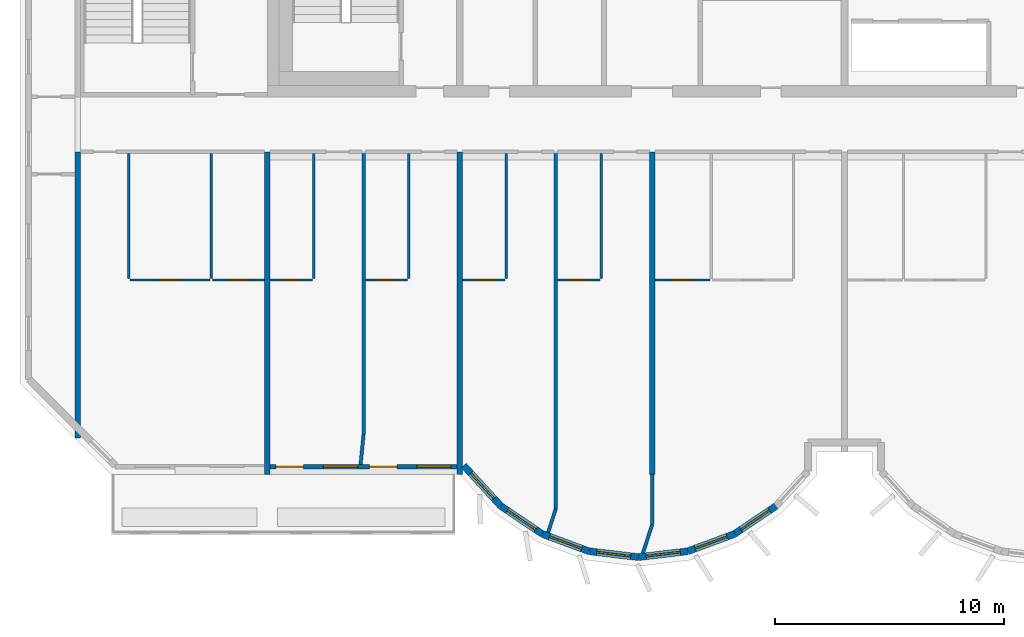
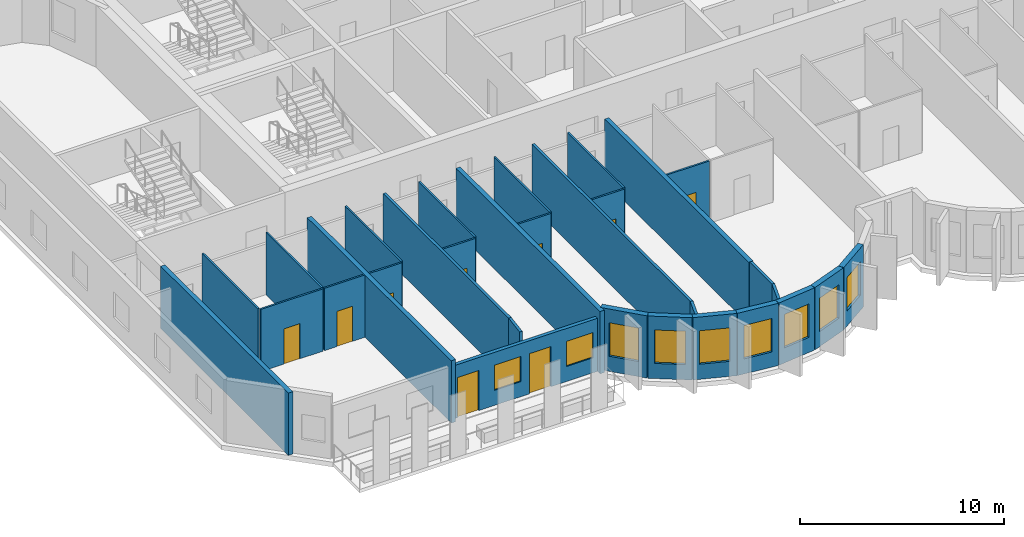
# One storey, part 2 of 12: 31 walls, 9 doors, 9 windows, 18 openings.
"""IFC4 building model written with IfcOpenShell, lengths in metres."""

from ifc_helpers import new_model, si_unit, direction, frame, frame_2d, origin, place, context, subcontext, project, spatial, rectangle, extrude, source, transform, mapped, material, layer, layer_set, type_object, element, fill, save


model = new_model("IFC4")

# Units and contexts
model_context = context("Model", 3, precision=1e-05, world=origin(), true_north=direction((0.0, 1.0)))
body_context = subcontext(model_context, "Body", "Model", "MODEL_VIEW")
ifc_project = project(units=[si_unit("LENGTHUNIT", "METRE"), si_unit("AREAUNIT", "SQUARE_METRE"), si_unit("VOLUMEUNIT", "CUBIC_METRE"), si_unit("PLANEANGLEUNIT", "RADIAN"), si_unit("MASSUNIT", "GRAM", prefix="KILO")], contexts=[model_context])

# Site, building, storey
site_placement = place(None, origin())
site = spatial("IfcSite", under=ifc_project, at=site_placement, CompositionType="ELEMENT")
building_placement = place(site_placement, origin())
building = spatial("IfcBuilding", under=site, at=building_placement, Name="Vanashikhar Sky Hotel", CompositionType="ELEMENT")
storey_placement = place(building_placement, frame((0.0, 0.0, 289.699951171875)))
storey = spatial("IfcBuildingStorey", under=building, at=storey_placement, Name="L69", CompositionType="ELEMENT", Elevation=289.699951171875)

# Walls
ifc_material_1 = material(Name="Concrete M50", Category="concrete")
ifc_layer_1 = layer(ifc_material_1, 0.25)
ifc_layer_set_1 = layer_set([ifc_layer_1], Name="RC shear wall 250 Concrete M50")
wall_type_1 = type_object("IfcWallType", Name="RC shear wall 250 Concrete M50", PredefinedType="SHEAR", material=ifc_layer_set_1)
shared_shape_1 = source(origin(), body_context, "Body", "SweptSolid", [
    extrude(rectangle(XDim=12.5, YDim=0.25, at=frame_2d((6.25, 0.0))), origin(), (0.0, 0.0, 1.0), 3.719970703125),
])
wall_1_placement = place(storey_placement, frame((16.925048828125, 7.10009765625, 0.0), z_axis=(0.0, 0.0, 1.0), x_axis=(0.0, 1.0, 0.0)))
element("IfcWall", 1, at=wall_1_placement, inside=storey, type_object=wall_type_1, Name="CW-L69-XW03-1", PredefinedType="SHEAR", context=body_context, shape_type="MappedRepresentation", body=[
    mapped(shared_shape_1, transform((0.0, 0.0, 0.0), scale=1.0)),
])
shared_shape_2 = source(origin(), body_context, "Body", "SweptSolid", [
    extrude(rectangle(XDim=14.10009765625, YDim=0.25, at=frame_2d((7.050048828125, 0.0))), origin(), (0.0, 0.0, 1.0), 3.719970703125),
])
for number, where, z_axis, x_axis, name in (
    (2, (25.199951171875, 5.5, 0.0), (0.0, 0.0, 1.0), (0.0, 1.0, 0.0), "CW-L69-XW04-1"),
    (3, (33.60009765625, 5.5, 0.0), (0.0, 0.0, 1.0), (0.0, 1.0, 0.0), "CW-L69-XW05-1"),
    (4, (42.0, 5.5, 0.0), (0.0, 0.0, 1.0), (0.0, 1.0, 0.0), "CW-L69-XW06-1"),
):
    element("IfcWall", number, at=place(storey_placement, frame(where, z_axis=z_axis, x_axis=x_axis)), inside=storey, type_object=wall_type_1, Name=name, PredefinedType="SHEAR", context=body_context, shape_type="MappedRepresentation", body=[
        mapped(shared_shape_2, transform((0.0, 0.0, 0.0), scale=1.0)),
    ])

# Wall, openings, windows, doors
ifc_layer_2 = layer(ifc_material_1, 0.199951171875)
ifc_layer_set_2 = layer_set([ifc_layer_2], Name="Front window wall 200")
wall_type_2 = type_object("IfcWallType", Name="Front window wall 200", PredefinedType="SOLIDWALL", material=ifc_layer_set_2)
shared_shape_3 = source(origin(), body_context, "Body", "SweptSolid", [
    extrude(rectangle(XDim=8.150146484375, YDim=0.199951171875, at=frame_2d((4.0751953125, 0.0))), origin(), (0.0, 0.0, 1.0), 3.170166015625),
])
wall_2_placement = place(storey_placement, frame((25.324951171875, 5.85009765625, 0.0), z_axis=(0.0, 0.0, 1.0), x_axis=(1.0, 0.0, 0.0)))
wall_2 = element("IfcWall", 5, at=wall_2_placement, inside=storey, type_object=wall_type_2, Name="Front window wall", PredefinedType="SOLIDWALL", context=body_context, shape_type="MappedRepresentation", body=[
    mapped(shared_shape_3, transform((0.0, 0.0, 0.0), scale=1.0)),
])
shared_shape_4 = source(origin(), body_context, "Body", "SweptSolid", [
    extrude(rectangle(XDim=1.199951171875, YDim=2.39990234375, at=frame_2d((0.60009765625, 1.199951171875))), frame((0.0, 0.10986328125, 0.0), z_axis=(0.0, -1.0, 0.0), x_axis=(1.0, 0.0, 0.0)), (0.0, 0.0, 1.0), 0.219970703125),
])
opening_1_placement = place(wall_2_placement, frame((0.25, 0.0, 0.0)))
opening_1 = element("IfcOpeningElement", 6, at=opening_1_placement, cuts=wall_2, Name="Opening BD-01", PredefinedType="OPENING", context=body_context, shape_type="MappedRepresentation", body=[
    mapped(shared_shape_4, transform((0.0, 0.0, 0.0), scale=1.0)),
])
shared_shape_5 = source(origin(), body_context, "Body", "SweptSolid", [
    extrude(rectangle(XDim=1.5, YDim=1.5, at=frame_2d((0.75, 0.75))), frame((0.0, 0.10986328125, 0.0), z_axis=(0.0, -1.0, 0.0), x_axis=(1.0, 0.0, 0.0)), (0.0, 0.0, 1.0), 0.219970703125),
])
opening_2_placement = place(wall_2_placement, frame((2.324951171875, 0.0, 0.89990234375)))
opening_2 = element("IfcOpeningElement", 7, at=opening_2_placement, cuts=wall_2, Name="Opening WN-1", PredefinedType="OPENING", context=body_context, shape_type="MappedRepresentation", body=[
    mapped(shared_shape_5, transform((0.0, 0.0, 0.0), scale=1.0)),
])
opening_3_placement = place(wall_2_placement, frame((4.324951171875, 0.0, 0.0)))
opening_3 = element("IfcOpeningElement", 8, at=opening_3_placement, cuts=wall_2, Name="Opening BD-02", PredefinedType="OPENING", context=body_context, shape_type="MappedRepresentation", body=[
    mapped(shared_shape_4, transform((0.0, 0.0, 0.0), scale=1.0)),
])
opening_4_placement = place(wall_2_placement, frame((6.39990234375, 0.0, 0.89990234375)))
opening_4 = element("IfcOpeningElement", 9, at=opening_4_placement, cuts=wall_2, Name="Opening WN-1", PredefinedType="OPENING", context=body_context, shape_type="MappedRepresentation", body=[
    mapped(shared_shape_5, transform((0.0, 0.0, 0.0), scale=1.0)),
])
ifc_material_2 = material(Name="Glass", Category="glass")
window_type_1 = type_object("IfcWindowType", Name="Window 1500 x 1500", PartitioningType="SINGLE_PANEL", PredefinedType="WINDOW", material=ifc_material_2)
shared_shape_6 = source(origin(), body_context, "Body", "SweptSolid", [
    extrude(rectangle(XDim=1.5, YDim=1.5, at=frame_2d((0.75, 0.75))), frame((0.0, 0.030029296875, 0.0), z_axis=(0.0, -1.0, 0.0), x_axis=(1.0, 0.0, 0.0)), (0.0, 0.0, 1.0), 0.06005859375),
])
window_1_placement = place(opening_2_placement, origin())
window_1 = element("IfcWindow", 10, at=window_1_placement, inside=storey, type_object=window_type_1, Name="Window WN-1", OverallHeight=1.5, OverallWidth=1.5, PartitioningType="SINGLE_PANEL", PredefinedType="WINDOW", context=body_context, shape_type="MappedRepresentation", body=[
    mapped(shared_shape_6, transform((0.0, 0.0, 0.0), scale=1.0)),
])
fill(opening_2, window_1)
window_2_placement = place(opening_4_placement, origin())
window_2 = element("IfcWindow", 11, at=window_2_placement, inside=storey, type_object=window_type_1, Name="Window WN-1", OverallHeight=1.5, OverallWidth=1.5, PartitioningType="SINGLE_PANEL", PredefinedType="WINDOW", context=body_context, shape_type="MappedRepresentation", body=[
    mapped(shared_shape_6, transform((0.0, 0.0, 0.0), scale=1.0)),
])
fill(opening_4, window_2)
ifc_material_3 = material(Name="Aluminium", Category="aluminium")
door_type_1 = type_object("IfcDoorType", Name="Balcony sliding door 1200 x 2400", OperationType="NOTDEFINED", PredefinedType="DOOR", material=ifc_material_3)
shared_shape_7 = source(origin(), body_context, "Body", "SweptSolid", [
    extrude(rectangle(XDim=1.199951171875, YDim=2.39990234375, at=frame_2d((0.60009765625, 1.199951171875))), frame((0.0, 0.02490234375, 0.0), z_axis=(0.0, -1.0, 0.0), x_axis=(1.0, 0.0, 0.0)), (0.0, 0.0, 1.0), 0.050048828125),
])
door_1_placement = place(opening_1_placement, origin())
door_1 = element("IfcDoor", 12, at=door_1_placement, inside=storey, type_object=door_type_1, Name="Balcony sliding door", OperationType="SLIDING_TO_LEFT", OverallHeight=2.39990234375, OverallWidth=1.199951171875, PredefinedType="DOOR", context=body_context, shape_type="MappedRepresentation", body=[
    mapped(shared_shape_7, transform((0.0, 0.0, 0.0), scale=1.0)),
])
fill(opening_1, door_1)
door_2_placement = place(opening_3_placement, origin())
door_2 = element("IfcDoor", 13, at=door_2_placement, inside=storey, type_object=door_type_1, Name="Balcony sliding door", OperationType="SLIDING_TO_RIGHT", OverallHeight=2.39990234375, OverallWidth=1.199951171875, PredefinedType="DOOR", context=body_context, shape_type="MappedRepresentation", body=[
    mapped(shared_shape_7, transform((0.0, 0.0, 0.0), scale=1.0)),
])
fill(opening_3, door_2)

# Wall, opening, window
ifc_layer_3 = layer(ifc_material_1, 0.300048828125)
ifc_layer_set_3 = layer_set([ifc_layer_3], Name="Lobe wall 300")
wall_type_3 = type_object("IfcWallType", Name="Lobe wall 300", PredefinedType="SOLIDWALL", material=ifc_layer_set_3)
shared_shape_8 = source(origin(), body_context, "Body", "SweptSolid", [
    extrude(rectangle(XDim=2.398193359375, YDim=0.300048828125, at=frame_2d((1.19921875, 0.0))), origin(), (0.0, 0.0, 1.0), 3.719970703125),
])
wall_3_placement = place(storey_placement, frame((33.776123046875, 5.89990234375, 0.0), z_axis=(0.0, 0.0, 1.0), x_axis=(0.675374189419, -0.737475222815, 0.0)))
wall_3 = element("IfcWall", 14, at=wall_3_placement, inside=storey, type_object=wall_type_3, Name="Lobe wall", PredefinedType="SOLIDWALL", context=body_context, shape_type="MappedRepresentation", body=[
    mapped(shared_shape_8, transform((0.0, 0.0, 0.0), scale=1.0)),
])
shared_shape_9 = source(origin(), body_context, "Body", "SweptSolid", [
    extrude(rectangle(XDim=1.5, YDim=2.0, at=frame_2d((0.75, 1.0))), frame((0.0, 0.16015625, 0.0), z_axis=(0.0, -1.0, 0.0), x_axis=(1.0, 0.0, 0.0)), (0.0, 0.0, 1.0), 0.320068359375),
])
opening_5_placement = place(wall_3_placement, frame((0.44921875, 0.0, 0.89990234375)))
opening_5 = element("IfcOpeningElement", 15, at=opening_5_placement, cuts=wall_3, Name="Opening WN-2", PredefinedType="OPENING", context=body_context, shape_type="MappedRepresentation", body=[
    mapped(shared_shape_9, transform((0.0, 0.0, 0.0), scale=1.0)),
])
window_type_2 = type_object("IfcWindowType", Name="Lobe window 1500 x 2000", PartitioningType="SINGLE_PANEL", PredefinedType="WINDOW", material=ifc_material_2)
shared_shape_10 = source(origin(), body_context, "Body", "SweptSolid", [
    extrude(rectangle(XDim=1.5, YDim=2.0, at=frame_2d((0.75, 1.0))), frame((0.0, 0.030029296875, 0.0), z_axis=(0.0, -1.0, 0.0), x_axis=(1.0, 0.0, 0.0)), (0.0, 0.0, 1.0), 0.06005859375),
])
window_3_placement = place(opening_5_placement, origin())
window_3 = element("IfcWindow", 16, at=window_3_placement, inside=storey, type_object=window_type_2, Name="Window WN-2", OverallHeight=2.0, OverallWidth=1.5, PartitioningType="SINGLE_PANEL", PredefinedType="WINDOW", context=body_context, shape_type="MappedRepresentation", body=[
    mapped(shared_shape_10, transform((0.0, 0.0, 0.0), scale=1.0)),
])
fill(opening_5, window_3)

shared_shape_11 = source(origin(), body_context, "Body", "SweptSolid", [
    extrude(rectangle(XDim=2.17578125, YDim=0.300048828125, at=frame_2d((1.087890625, 0.0))), origin(), (0.0, 0.0, 1.0), 3.719970703125),
])
wall_4_placement = place(storey_placement, frame((35.395751953125, 4.13134765625, 0.0), z_axis=(0.0, 0.0, 1.0), x_axis=(0.829590746428, -0.558371913192, 0.0)))
wall_4 = element("IfcWall", 17, at=wall_4_placement, inside=storey, type_object=wall_type_3, Name="Lobe wall", PredefinedType="SOLIDWALL", context=body_context, shape_type="MappedRepresentation", body=[
    mapped(shared_shape_11, transform((0.0, 0.0, 0.0), scale=1.0)),
])
opening_6_placement = place(wall_4_placement, frame((0.337890625, 0.0, 0.89990234375)))
opening_6 = element("IfcOpeningElement", 18, at=opening_6_placement, cuts=wall_4, Name="Opening WN-2", PredefinedType="OPENING", context=body_context, shape_type="MappedRepresentation", body=[
    mapped(shared_shape_9, transform((0.0, 0.0, 0.0), scale=1.0)),
])
window_4_placement = place(opening_6_placement, origin())
window_4 = element("IfcWindow", 19, at=window_4_placement, inside=storey, type_object=window_type_2, Name="Window WN-2", OverallHeight=2.0, OverallWidth=1.5, PartitioningType="SINGLE_PANEL", PredefinedType="WINDOW", context=body_context, shape_type="MappedRepresentation", body=[
    mapped(shared_shape_10, transform((0.0, 0.0, 0.0), scale=1.0)),
])
fill(opening_6, window_4)

wall_5_placement = place(storey_placement, frame((37.20068359375, 2.91650390625, 0.0), z_axis=(0.0, 0.0, 1.0), x_axis=(0.93754555999, -0.347862505801, 0.0)))
wall_5 = element("IfcWall", 20, at=wall_5_placement, inside=storey, type_object=wall_type_3, Name="Lobe wall", PredefinedType="SOLIDWALL", context=body_context, shape_type="MappedRepresentation", body=[
    mapped(shared_shape_11, transform((0.0, 0.0, 0.0), scale=1.0)),
])
opening_7_placement = place(wall_5_placement, frame((0.337890625, 0.0, 0.89990234375)))
opening_7 = element("IfcOpeningElement", 21, at=opening_7_placement, cuts=wall_5, Name="Opening WN-2", PredefinedType="OPENING", context=body_context, shape_type="MappedRepresentation", body=[
    mapped(shared_shape_9, transform((0.0, 0.0, 0.0), scale=1.0)),
])
window_5_placement = place(opening_7_placement, origin())
window_5 = element("IfcWindow", 22, at=window_5_placement, inside=storey, type_object=window_type_2, Name="Window WN-2", OverallHeight=2.0, OverallWidth=1.5, PartitioningType="SINGLE_PANEL", PredefinedType="WINDOW", context=body_context, shape_type="MappedRepresentation", body=[
    mapped(shared_shape_10, transform((0.0, 0.0, 0.0), scale=1.0)),
])
fill(opening_7, window_5)

wall_6_placement = place(storey_placement, frame((45.59912109375, 2.91650390625, 0.0), z_axis=(0.0, 0.0, 1.0), x_axis=(0.829625727223, 0.558319937607, 0.0)))
wall_6 = element("IfcWall", 23, at=wall_6_placement, inside=storey, type_object=wall_type_3, Name="Lobe wall", PredefinedType="SOLIDWALL", context=body_context, shape_type="MappedRepresentation", body=[
    mapped(shared_shape_11, transform((0.0, 0.0, 0.0), scale=1.0)),
])
opening_8_placement = place(wall_6_placement, frame((0.337890625, 0.0, 0.89990234375)))
opening_8 = element("IfcOpeningElement", 24, at=opening_8_placement, cuts=wall_6, Name="Opening WN-2", PredefinedType="OPENING", context=body_context, shape_type="MappedRepresentation", body=[
    mapped(shared_shape_9, transform((0.0, 0.0, 0.0), scale=1.0)),
])
window_6_placement = place(opening_8_placement, origin())
window_6 = element("IfcWindow", 25, at=window_6_placement, inside=storey, type_object=window_type_2, Name="Window WN-2", OverallHeight=2.0, OverallWidth=1.5, PartitioningType="SINGLE_PANEL", PredefinedType="WINDOW", context=body_context, shape_type="MappedRepresentation", body=[
    mapped(shared_shape_10, transform((0.0, 0.0, 0.0), scale=1.0)),
])
fill(opening_8, window_6)

shared_shape_12 = source(origin(), body_context, "Body", "SweptSolid", [
    extrude(rectangle(XDim=2.174560546875, YDim=0.300048828125, at=frame_2d((1.08740234375, 0.0))), origin(), (0.0, 0.0, 1.0), 3.719970703125),
])
wall_7_placement = place(storey_placement, frame((39.240478515625, 2.15966796875, 0.0), z_axis=(0.0, 0.0, 1.0), x_axis=(0.993001132889, -0.118104826659, 0.0)))
wall_7 = element("IfcWall", 26, at=wall_7_placement, inside=storey, type_object=wall_type_3, Name="Lobe wall", PredefinedType="SOLIDWALL", context=body_context, shape_type="MappedRepresentation", body=[
    mapped(shared_shape_12, transform((0.0, 0.0, 0.0), scale=1.0)),
])
opening_9_placement = place(wall_7_placement, frame((0.33740234375, 0.0, 0.89990234375)))
opening_9 = element("IfcOpeningElement", 27, at=opening_9_placement, cuts=wall_7, Name="Opening WN-2", PredefinedType="OPENING", context=body_context, shape_type="MappedRepresentation", body=[
    mapped(shared_shape_9, transform((0.0, 0.0, 0.0), scale=1.0)),
])
window_7_placement = place(opening_9_placement, origin())
window_7 = element("IfcWindow", 28, at=window_7_placement, inside=storey, type_object=window_type_2, Name="Window WN-2", OverallHeight=2.0, OverallWidth=1.5, PartitioningType="SINGLE_PANEL", PredefinedType="WINDOW", context=body_context, shape_type="MappedRepresentation", body=[
    mapped(shared_shape_10, transform((0.0, 0.0, 0.0), scale=1.0)),
])
fill(opening_9, window_7)

shared_shape_13 = source(origin(), body_context, "Body", "SweptSolid", [
    extrude(rectangle(XDim=2.1748046875, YDim=0.300048828125, at=frame_2d((1.08740234375, 0.0))), origin(), (0.0, 0.0, 1.0), 3.719970703125),
])
wall_8_placement = place(storey_placement, frame((41.39990234375, 1.90283203125, 0.0), z_axis=(0.0, 0.0, 1.0), x_axis=(0.993002698611, 0.118091661648, 0.0)))
wall_8 = element("IfcWall", 29, at=wall_8_placement, inside=storey, type_object=wall_type_3, Name="Lobe wall", PredefinedType="SOLIDWALL", context=body_context, shape_type="MappedRepresentation", body=[
    mapped(shared_shape_13, transform((0.0, 0.0, 0.0), scale=1.0)),
])
opening_10_placement = place(wall_8_placement, frame((0.33740234375, 0.0, 0.89990234375)))
opening_10 = element("IfcOpeningElement", 30, at=opening_10_placement, cuts=wall_8, Name="Opening WN-2", PredefinedType="OPENING", context=body_context, shape_type="MappedRepresentation", body=[
    mapped(shared_shape_9, transform((0.0, 0.0, 0.0), scale=1.0)),
])
window_8_placement = place(opening_10_placement, origin())
window_8 = element("IfcWindow", 31, at=window_8_placement, inside=storey, type_object=window_type_2, Name="Window WN-2", OverallHeight=2.0, OverallWidth=1.5, PartitioningType="SINGLE_PANEL", PredefinedType="WINDOW", context=body_context, shape_type="MappedRepresentation", body=[
    mapped(shared_shape_10, transform((0.0, 0.0, 0.0), scale=1.0)),
])
fill(opening_10, window_8)

shared_shape_14 = source(origin(), body_context, "Body", "SweptSolid", [
    extrude(rectangle(XDim=2.175537109375, YDim=0.300048828125, at=frame_2d((1.087890625, 0.0))), origin(), (0.0, 0.0, 1.0), 3.719970703125),
])
wall_9_placement = place(storey_placement, frame((43.5595703125, 2.15966796875, 0.0), z_axis=(0.0, 0.0, 1.0), x_axis=(0.937531979054, 0.347899106424, 0.0)))
wall_9 = element("IfcWall", 32, at=wall_9_placement, inside=storey, type_object=wall_type_3, Name="Lobe wall", PredefinedType="SOLIDWALL", context=body_context, shape_type="MappedRepresentation", body=[
    mapped(shared_shape_14, transform((0.0, 0.0, 0.0), scale=1.0)),
])
opening_11_placement = place(wall_9_placement, frame((0.337890625, 0.0, 0.89990234375)))
opening_11 = element("IfcOpeningElement", 33, at=opening_11_placement, cuts=wall_9, Name="Opening WN-2", PredefinedType="OPENING", context=body_context, shape_type="MappedRepresentation", body=[
    mapped(shared_shape_9, transform((0.0, 0.0, 0.0), scale=1.0)),
])
window_9_placement = place(opening_11_placement, origin())
window_9 = element("IfcWindow", 34, at=window_9_placement, inside=storey, type_object=window_type_2, Name="Window WN-2", OverallHeight=2.0, OverallWidth=1.5, PartitioningType="SINGLE_PANEL", PredefinedType="WINDOW", context=body_context, shape_type="MappedRepresentation", body=[
    mapped(shared_shape_10, transform((0.0, 0.0, 0.0), scale=1.0)),
])
fill(opening_11, window_9)

# Wall, opening, door
ifc_material_4 = material(Name="Gypsum plasterboard partition")
ifc_layer_4 = layer(ifc_material_4, 0.10009765625)
ifc_layer_set_4 = layer_set([ifc_layer_4], Name="Wet room partition 100")
wall_type_4 = type_object("IfcWallType", Name="Wet room partition 100", PredefinedType="PARTITIONING", material=ifc_layer_set_4)
shared_shape_15 = source(origin(), body_context, "Body", "SweptSolid", [
    extrude(rectangle(XDim=3.5, YDim=0.10009765625, at=frame_2d((1.75, 0.0))), origin(), (0.0, 0.0, 1.0), 3.719970703125),
])
wall_10_placement = place(storey_placement, frame((19.199951171875, 14.0, 0.0), z_axis=(0.0, 0.0, 1.0), x_axis=(1.0, 0.0, 0.0)))
wall_10 = element("IfcWall", 35, at=wall_10_placement, inside=storey, type_object=wall_type_4, Name="W-L69-PW003", PredefinedType="PARTITIONING", context=body_context, shape_type="MappedRepresentation", body=[
    mapped(shared_shape_15, transform((0.0, 0.0, 0.0), scale=1.0)),
])
shared_shape_16 = source(origin(), body_context, "Body", "SweptSolid", [
    extrude(rectangle(XDim=0.89990234375, YDim=2.10009765625, at=frame_2d((0.449951171875, 1.050048828125))), frame((0.0, 0.06005859375, 0.0), z_axis=(0.0, -1.0, 0.0), x_axis=(1.0, 0.0, 0.0)), (0.0, 0.0, 1.0), 0.1201171875),
])
opening_12_placement = place(wall_10_placement, frame((1.300048828125, 0.0, 0.0)))
opening_12 = element("IfcOpeningElement", 36, at=opening_12_placement, cuts=wall_10, Name="Opening D-02", PredefinedType="OPENING", context=body_context, shape_type="MappedRepresentation", body=[
    mapped(shared_shape_16, transform((0.0, 0.0, 0.0), scale=1.0)),
])
ifc_material_5 = material(Name="Timber door", Category="wood")
door_type_2 = type_object("IfcDoorType", Name="Internal door 900", OperationType="NOTDEFINED", PredefinedType="DOOR", material=ifc_material_5)
shared_shape_17 = source(origin(), body_context, "Body", "SweptSolid", [
    extrude(rectangle(XDim=0.89990234375, YDim=2.10009765625, at=frame_2d((0.449951171875, 1.050048828125))), frame((0.0, 0.02490234375, 0.0), z_axis=(0.0, -1.0, 0.0), x_axis=(1.0, 0.0, 0.0)), (0.0, 0.0, 1.0), 0.050048828125),
])
door_3_placement = place(opening_12_placement, origin())
door_3 = element("IfcDoor", 37, at=door_3_placement, inside=storey, type_object=door_type_2, Name="D-L69-001", OperationType="SINGLE_SWING_LEFT", OverallHeight=2.10009765625, OverallWidth=0.89990234375, PredefinedType="DOOR", context=body_context, shape_type="MappedRepresentation", body=[
    mapped(shared_shape_17, transform((0.0, 0.0, 0.0), scale=1.0)),
])
fill(opening_12, door_3)

# Walls
ifc_layer_5 = layer(ifc_material_4, 0.14990234375)
ifc_layer_set_5 = layer_set([ifc_layer_5], Name="Corridor and demising partition 150")
wall_type_5 = type_object("IfcWallType", Name="Corridor and demising partition 150", PredefinedType="PARTITIONING", material=ifc_layer_set_5)
shared_shape_18 = source(origin(), body_context, "Body", "SweptSolid", [
    extrude(rectangle(XDim=2.177978515625, YDim=0.14990234375, at=frame_2d((1.0888671875, 0.0))), origin(), (0.0, 0.0, 1.0), 3.719970703125),
])
wall_11_placement = place(storey_placement, frame((42.0, 3.322021484375, 0.0), z_axis=(0.0, 0.0, 1.0), x_axis=(0.0, 1.0, 0.0)))
element("IfcWall", 38, at=wall_11_placement, inside=storey, type_object=wall_type_5, Name="W-L69-PW047", PredefinedType="PARTITIONING", context=body_context, shape_type="MappedRepresentation", body=[
    mapped(shared_shape_18, transform((0.0, 0.0, 0.0), scale=1.0)),
])
shared_shape_19 = source(origin(), body_context, "Body", "SweptSolid", [
    extrude(rectangle(XDim=1.308349609375, YDim=0.14990234375, at=frame_2d((0.654296875, 0.0))), origin(), (0.0, 0.0, 1.0), 3.719970703125),
])
wall_12_placement = place(storey_placement, frame((41.597900390625, 2.076904296875, 0.0), z_axis=(0.0, 0.0, 1.0), x_axis=(0.307313512187, 0.951608325535, 0.0)))
element("IfcWall", 39, at=wall_12_placement, inside=storey, type_object=wall_type_5, Name="W-L69-PW047B0", PredefinedType="PARTITIONING", context=body_context, shape_type="MappedRepresentation", body=[
    mapped(shared_shape_19, transform((0.0, 0.0, 0.0), scale=1.0)),
])
shared_shape_20 = source(origin(), body_context, "Body", "SweptSolid", [
    extrude(rectangle(XDim=5.449951171875, YDim=0.10009765625, at=frame_2d((2.72509765625, 0.0))), origin(), (0.0, 0.0, 1.0), 3.719970703125),
])
for number, where, z_axis, x_axis, name in (
    (40, (19.14990234375, 14.074951171875, 0.0), (0.0, 0.0, 1.0), (0.0, 1.0, 0.0), "W-L69-PW001"),
    (41, (22.75, 14.074951171875, 0.0), (0.0, 0.0, 1.0), (0.0, 1.0, 0.0), "W-L69-PW002"),
    (42, (27.22509765625, 14.074951171875, 0.0), (0.0, 0.0, 1.0), (0.0, 1.0, 0.0), "W-L69-PW006"),
    (43, (31.375, 14.074951171875, 0.0), (0.0, 0.0, 1.0), (0.0, 1.0, 0.0), "W-L69-PW009"),
    (44, (35.625, 14.074951171875, 0.0), (0.0, 0.0, 1.0), (0.0, 1.0, 0.0), "W-L69-PW013"),
    (45, (39.77490234375, 14.074951171875, 0.0), (0.0, 0.0, 1.0), (0.0, 1.0, 0.0), "W-L69-PW016"),
):
    element("IfcWall", number, at=place(storey_placement, frame(where, z_axis=z_axis, x_axis=x_axis)), inside=storey, type_object=wall_type_4, Name=name, PredefinedType="PARTITIONING", context=body_context, shape_type="MappedRepresentation", body=[
        mapped(shared_shape_20, transform((0.0, 0.0, 0.0), scale=1.0)),
    ])

# Wall, opening, door
shared_shape_21 = source(origin(), body_context, "Body", "SweptSolid", [
    extrude(rectangle(XDim=2.27490234375, YDim=0.10009765625, at=frame_2d((1.137451171875, 0.0))), origin(), (0.0, 0.0, 1.0), 3.719970703125),
])
wall_13_placement = place(storey_placement, frame((22.800048828125, 14.0, 0.0), z_axis=(0.0, 0.0, 1.0), x_axis=(1.0, 0.0, 0.0)))
wall_13 = element("IfcWall", 46, at=wall_13_placement, inside=storey, type_object=wall_type_4, Name="W-L69-PW004", PredefinedType="PARTITIONING", context=body_context, shape_type="MappedRepresentation", body=[
    mapped(shared_shape_21, transform((0.0, 0.0, 0.0), scale=1.0)),
])
opening_13_placement = place(wall_13_placement, frame((0.68798828125, 0.0, 0.0)))
opening_13 = element("IfcOpeningElement", 47, at=opening_13_placement, cuts=wall_13, Name="Opening D-02", PredefinedType="OPENING", context=body_context, shape_type="MappedRepresentation", body=[
    mapped(shared_shape_16, transform((0.0, 0.0, 0.0), scale=1.0)),
])
door_4_placement = place(opening_13_placement, origin())
door_4 = element("IfcDoor", 48, at=door_4_placement, inside=storey, type_object=door_type_2, Name="D-L69-002", OperationType="SINGLE_SWING_LEFT", OverallHeight=2.10009765625, OverallWidth=0.89990234375, PredefinedType="DOOR", context=body_context, shape_type="MappedRepresentation", body=[
    mapped(shared_shape_17, transform((0.0, 0.0, 0.0), scale=1.0)),
])
fill(opening_13, door_4)

shared_shape_22 = source(origin(), body_context, "Body", "SweptSolid", [
    extrude(rectangle(XDim=1.85009765625, YDim=0.10009765625, at=frame_2d((0.925048828125, 0.0))), origin(), (0.0, 0.0, 1.0), 3.719970703125),
])
wall_14_placement = place(storey_placement, frame((25.324951171875, 14.0, 0.0), z_axis=(0.0, 0.0, 1.0), x_axis=(1.0, 0.0, 0.0)))
wall_14 = element("IfcWall", 49, at=wall_14_placement, inside=storey, type_object=wall_type_4, Name="W-L69-PW007", PredefinedType="PARTITIONING", context=body_context, shape_type="MappedRepresentation", body=[
    mapped(shared_shape_22, transform((0.0, 0.0, 0.0), scale=1.0)),
])
opening_14_placement = place(wall_14_placement, frame((0.47509765625, 0.0, 0.0)))
opening_14 = element("IfcOpeningElement", 50, at=opening_14_placement, cuts=wall_14, Name="Opening D-02", PredefinedType="OPENING", context=body_context, shape_type="MappedRepresentation", body=[
    mapped(shared_shape_16, transform((0.0, 0.0, 0.0), scale=1.0)),
])
door_5_placement = place(opening_14_placement, origin())
door_5 = element("IfcDoor", 51, at=door_5_placement, inside=storey, type_object=door_type_2, Name="D-L69-004", OperationType="SINGLE_SWING_RIGHT", OverallHeight=2.10009765625, OverallWidth=0.89990234375, PredefinedType="DOOR", context=body_context, shape_type="MappedRepresentation", body=[
    mapped(shared_shape_17, transform((0.0, 0.0, 0.0), scale=1.0)),
])
fill(opening_14, door_5)

wall_15_placement = place(storey_placement, frame((37.875, 14.0, 0.0), z_axis=(0.0, 0.0, 1.0), x_axis=(1.0, 0.0, 0.0)))
wall_15 = element("IfcWall", 52, at=wall_15_placement, inside=storey, type_object=wall_type_4, Name="W-L69-PW017", PredefinedType="PARTITIONING", context=body_context, shape_type="MappedRepresentation", body=[
    mapped(shared_shape_22, transform((0.0, 0.0, 0.0), scale=1.0)),
])
opening_15_placement = place(wall_15_placement, frame((0.47509765625, 0.0, 0.0)))
opening_15 = element("IfcOpeningElement", 53, at=opening_15_placement, cuts=wall_15, Name="Opening D-02", PredefinedType="OPENING", context=body_context, shape_type="MappedRepresentation", body=[
    mapped(shared_shape_16, transform((0.0, 0.0, 0.0), scale=1.0)),
])
door_6_placement = place(opening_15_placement, origin())
door_6 = element("IfcDoor", 54, at=door_6_placement, inside=storey, type_object=door_type_2, Name="D-L69-010", OperationType="SINGLE_SWING_RIGHT", OverallHeight=2.10009765625, OverallWidth=0.89990234375, PredefinedType="DOOR", context=body_context, shape_type="MappedRepresentation", body=[
    mapped(shared_shape_17, transform((0.0, 0.0, 0.0), scale=1.0)),
])
fill(opening_15, door_6)

shared_shape_23 = source(origin(), body_context, "Body", "SweptSolid", [
    extrude(rectangle(XDim=1.849853515625, YDim=0.10009765625, at=frame_2d((0.9248046875, 0.0))), origin(), (0.0, 0.0, 1.0), 3.719970703125),
])
wall_16_placement = place(storey_placement, frame((29.47509765625, 14.0, 0.0), z_axis=(0.0, 0.0, 1.0), x_axis=(1.0, 0.0, 0.0)))
wall_16 = element("IfcWall", 55, at=wall_16_placement, inside=storey, type_object=wall_type_4, Name="W-L69-PW010", PredefinedType="PARTITIONING", context=body_context, shape_type="MappedRepresentation", body=[
    mapped(shared_shape_23, transform((0.0, 0.0, 0.0), scale=1.0)),
])
opening_16_placement = place(wall_16_placement, frame((0.47509765625, 0.0, 0.0)))
opening_16 = element("IfcOpeningElement", 56, at=opening_16_placement, cuts=wall_16, Name="Opening D-02", PredefinedType="OPENING", context=body_context, shape_type="MappedRepresentation", body=[
    mapped(shared_shape_16, transform((0.0, 0.0, 0.0), scale=1.0)),
])
door_7_placement = place(opening_16_placement, origin())
door_7 = element("IfcDoor", 57, at=door_7_placement, inside=storey, type_object=door_type_2, Name="D-L69-006", OperationType="SINGLE_SWING_RIGHT", OverallHeight=2.10009765625, OverallWidth=0.89990234375, PredefinedType="DOOR", context=body_context, shape_type="MappedRepresentation", body=[
    mapped(shared_shape_17, transform((0.0, 0.0, 0.0), scale=1.0)),
])
fill(opening_16, door_7)

wall_17_placement = place(storey_placement, frame((33.72509765625, 14.0, 0.0), z_axis=(0.0, 0.0, 1.0), x_axis=(1.0, 0.0, 0.0)))
wall_17 = element("IfcWall", 58, at=wall_17_placement, inside=storey, type_object=wall_type_4, Name="W-L69-PW014", PredefinedType="PARTITIONING", context=body_context, shape_type="MappedRepresentation", body=[
    mapped(shared_shape_23, transform((0.0, 0.0, 0.0), scale=1.0)),
])
opening_17_placement = place(wall_17_placement, frame((0.47509765625, 0.0, 0.0)))
opening_17 = element("IfcOpeningElement", 59, at=opening_17_placement, cuts=wall_17, Name="Opening D-02", PredefinedType="OPENING", context=body_context, shape_type="MappedRepresentation", body=[
    mapped(shared_shape_16, transform((0.0, 0.0, 0.0), scale=1.0)),
])
door_8_placement = place(opening_17_placement, origin())
door_8 = element("IfcDoor", 60, at=door_8_placement, inside=storey, type_object=door_type_2, Name="D-L69-008", OperationType="SINGLE_SWING_RIGHT", OverallHeight=2.10009765625, OverallWidth=0.89990234375, PredefinedType="DOOR", context=body_context, shape_type="MappedRepresentation", body=[
    mapped(shared_shape_17, transform((0.0, 0.0, 0.0), scale=1.0)),
])
fill(opening_17, door_8)

# Walls
shared_shape_24 = source(origin(), body_context, "Body", "SweptSolid", [
    extrude(rectangle(XDim=12.27490234375, YDim=0.14990234375, at=frame_2d((6.137451171875, 0.0))), origin(), (0.0, 0.0, 1.0), 3.719970703125),
])
wall_18_placement = place(storey_placement, frame((29.39990234375, 7.25, 0.0), z_axis=(0.0, 0.0, 1.0), x_axis=(0.0, 1.0, 0.0)))
element("IfcWall", 61, at=wall_18_placement, inside=storey, type_object=wall_type_5, Name="W-L69-PW012", PredefinedType="PARTITIONING", context=body_context, shape_type="MappedRepresentation", body=[
    mapped(shared_shape_24, transform((0.0, 0.0, 0.0), scale=1.0)),
])
shared_shape_25 = source(origin(), body_context, "Body", "SweptSolid", [
    extrude(rectangle(XDim=15.497802734375, YDim=0.14990234375, at=frame_2d((7.7490234375, 0.0))), origin(), (0.0, 0.0, 1.0), 3.719970703125),
])
wall_19_placement = place(storey_placement, frame((37.800048828125, 4.027099609375, 0.0), z_axis=(0.0, 0.0, 1.0), x_axis=(0.0, 1.0, 0.0)))
element("IfcWall", 62, at=wall_19_placement, inside=storey, type_object=wall_type_5, Name="W-L69-PW019", PredefinedType="PARTITIONING", context=body_context, shape_type="MappedRepresentation", body=[
    mapped(shared_shape_25, transform((0.0, 0.0, 0.0), scale=1.0)),
])

# Wall, opening, door
shared_shape_26 = source(origin(), body_context, "Body", "SweptSolid", [
    extrude(rectangle(XDim=2.39990234375, YDim=0.10009765625, at=frame_2d((1.199951171875, 0.0))), origin(), (0.0, 0.0, 1.0), 3.719970703125),
])
wall_20_placement = place(storey_placement, frame((42.125, 14.0, 0.0), z_axis=(0.0, 0.0, 1.0), x_axis=(1.0, 0.0, 0.0)))
wall_20 = element("IfcWall", 63, at=wall_20_placement, inside=storey, type_object=wall_type_4, Name="W-L69-PW023", PredefinedType="PARTITIONING", context=body_context, shape_type="MappedRepresentation", body=[
    mapped(shared_shape_26, transform((0.0, 0.0, 0.0), scale=1.0)),
])
opening_18_placement = place(wall_20_placement, frame((0.75, 0.0, 0.0)))
opening_18 = element("IfcOpeningElement", 64, at=opening_18_placement, cuts=wall_20, Name="Opening D-02", PredefinedType="OPENING", context=body_context, shape_type="MappedRepresentation", body=[
    mapped(shared_shape_16, transform((0.0, 0.0, 0.0), scale=1.0)),
])
door_9_placement = place(opening_18_placement, origin())
door_9 = element("IfcDoor", 65, at=door_9_placement, inside=storey, type_object=door_type_2, Name="D-L69-013", OperationType="SINGLE_SWING_RIGHT", OverallHeight=2.10009765625, OverallWidth=0.89990234375, PredefinedType="DOOR", context=body_context, shape_type="MappedRepresentation", body=[
    mapped(shared_shape_17, transform((0.0, 0.0, 0.0), scale=1.0)),
])
fill(opening_18, door_9)

# Walls
shared_shape_27 = source(origin(), body_context, "Body", "SweptSolid", [
    extrude(rectangle(XDim=1.306640625, YDim=0.14990234375, at=frame_2d((0.6533203125, 0.0))), origin(), (0.0, 0.0, 1.0), 3.719970703125),
])
wall_21_placement = place(storey_placement, frame((29.27001953125, 5.949951171875, 0.0), z_axis=(0.0, 0.0, 1.0), x_axis=(0.099411212066, 0.995046436562, 0.0)))
element("IfcWall", 66, at=wall_21_placement, inside=storey, type_object=wall_type_5, Name="W-L69-PW012B0", PredefinedType="PARTITIONING", context=body_context, shape_type="MappedRepresentation", body=[
    mapped(shared_shape_27, transform((0.0, 0.0, 0.0), scale=1.0)),
])
shared_shape_28 = source(origin(), body_context, "Body", "SweptSolid", [
    extrude(rectangle(XDim=1.100830078125, YDim=0.14990234375, at=frame_2d((0.55029296875, 0.0))), origin(), (0.0, 0.0, 1.0), 3.719970703125),
])
wall_22_placement = place(storey_placement, frame((37.45703125, 2.98095703125, 0.0), z_axis=(0.0, 0.0, 1.0), x_axis=(0.311567081539, 0.950224159712, 0.0)))
element("IfcWall", 67, at=wall_22_placement, inside=storey, type_object=wall_type_5, Name="W-L69-PW019B0", PredefinedType="PARTITIONING", context=body_context, shape_type="MappedRepresentation", body=[
    mapped(shared_shape_28, transform((0.0, 0.0, 0.0), scale=1.0)),
])

save(model, "model.ifc")
